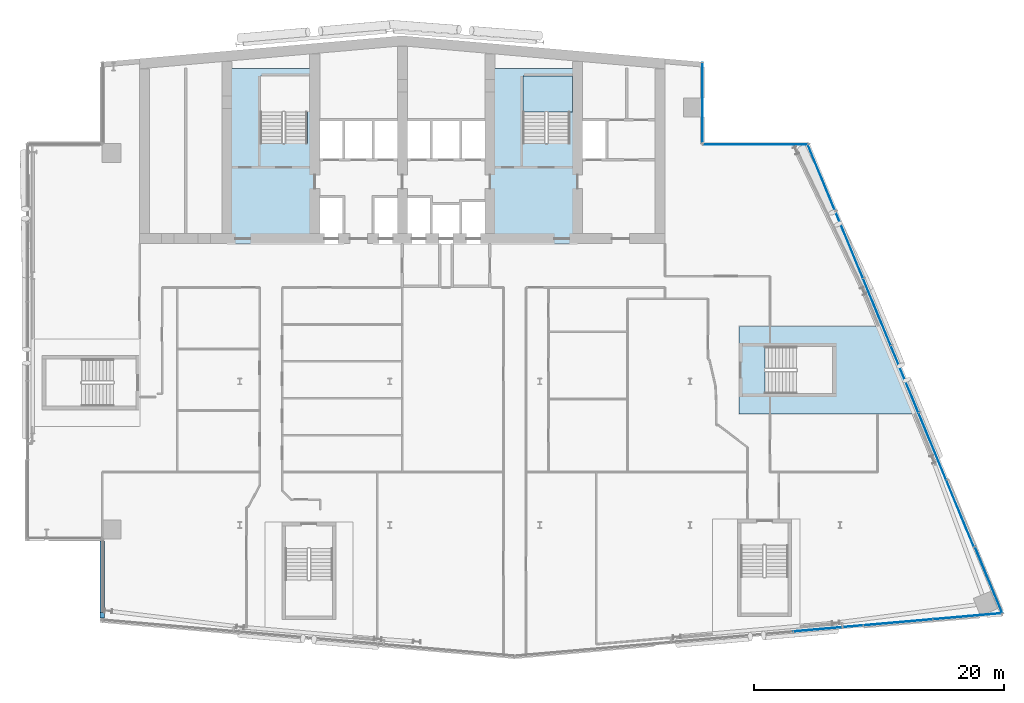
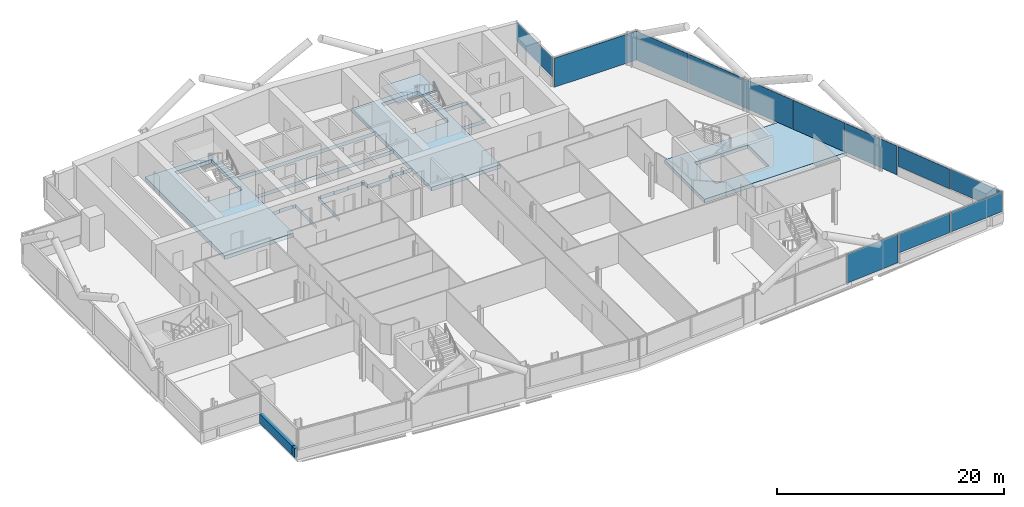
# One storey, part 14 of 26: 12 plates, 3 slabs, 2 walls, 5 elements without a shape of their own.
"""IFC4 building model written with IfcOpenShell, lengths in metres."""

from ifc_helpers import new_model, si_unit, direction, frame, frame_2d, origin, origin_2d, place, context, subcontext, project, spatial, polyline, rectangle, outline, extrude, material, layer, layer_set, type_object, element, aggregate, save


model = new_model("IFC4")

# Units and contexts
model_context = context("Model", 3, precision=1e-05, world=origin(), true_north=direction((0.0, 1.0)))
body_context = subcontext(model_context, "Body", "Model", "MODEL_VIEW")
ifc_project = project(units=[si_unit("LENGTHUNIT", "METRE"), si_unit("AREAUNIT", "SQUARE_METRE"), si_unit("VOLUMEUNIT", "CUBIC_METRE"), si_unit("PLANEANGLEUNIT", "RADIAN"), si_unit("MASSUNIT", "GRAM", prefix="KILO")], contexts=[model_context])

# Site, building, storey
site_placement = place(None, origin())
site = spatial("IfcSite", under=ifc_project, at=site_placement, CompositionType="ELEMENT")
building_placement = place(site_placement, origin())
building = spatial("IfcBuilding", under=site, at=building_placement, Name="Wharfspan Tower", CompositionType="ELEMENT")
storey_placement = place(building_placement, frame((0.0, 0.0, 169.899902)))
storey = spatial("IfcBuildingStorey", under=building, at=storey_placement, Name="L41", CompositionType="ELEMENT", Elevation=169.899902)

# Curtain wall, plates
ifc_material_1 = material(Name="Aluminium 6063-T6", Category="aluminium")
curtain_wall_type_1 = type_object("IfcCurtainWallType", Name="CURTAIN WALL FACETED FRONT", PredefinedType="NOTDEFINED", material=ifc_material_1)
curtain_wall_1_placement = place(storey_placement, origin())
curtain_wall_1 = element("IfcCurtainWall", 1, at=curtain_wall_1_placement, inside=storey, type_object=curtain_wall_type_1, Name="Curtain wall S2", PredefinedType="NOTDEFINED")
ifc_material_2 = material(Name="Glass clear low-iron double glazing", Category="glass")
ifc_layer_1 = layer(ifc_material_2, 0.040039)
ifc_layer_set_1 = layer_set([ifc_layer_1], Name="Glass clear low-iron double glazing")
plate_type_1 = type_object("IfcPlateType", Name="GLASS PANEL FACETED FRONT 40", PredefinedType="CURTAIN_PANEL", material=ifc_layer_set_1)
plate_1_placement = place(storey_placement, frame((76.637695, 3.728516, 1.0), z_axis=(0.0, 0.0, 1.0), x_axis=(0.996198, 0.087156, 0.0)))
plate_1 = element("IfcPlate", 2, at=plate_1_placement, type_object=plate_type_1, Name="Curtain wall S2 panel 6", PredefinedType="CURTAIN_PANEL", context=body_context, shape_type="SweptSolid", body=[
    extrude(rectangle(XDim=5.532715, YDim=0.040039, at=origin_2d()), origin(), (0.0, 0.0, 1.0), 2.120117),
])
plate_2_placement = place(storey_placement, frame((82.194092, 4.214844, 1.0), z_axis=(0.0, 0.0, 1.0), x_axis=(0.996198, 0.087156, 0.0)))
plate_2 = element("IfcPlate", 3, at=plate_2_placement, type_object=plate_type_1, Name="Curtain wall S2 panel 7", PredefinedType="CURTAIN_PANEL", context=body_context, shape_type="SweptSolid", body=[
    extrude(rectangle(XDim=5.502686, YDim=0.040039, at=origin_2d()), origin(), (0.0, 0.0, 1.0), 2.120117),
])

curtain_wall_type_2 = type_object("IfcCurtainWallType", Name="CURTAIN WALL PROW AND END", PredefinedType="NOTDEFINED", material=ifc_material_1)
curtain_wall_2_placement = place(storey_placement, origin())
curtain_wall_2 = element("IfcCurtainWall", 4, at=curtain_wall_2_placement, inside=storey, type_object=curtain_wall_type_2, Name="Curtain wall E", PredefinedType="NOTDEFINED")
ifc_layer_2 = layer(ifc_material_2, 0.040039)
ifc_layer_set_2 = layer_set([ifc_layer_2], Name="Glass clear low-iron double glazing")
plate_type_2 = type_object("IfcPlateType", Name="GLASS PANEL PROW AND END 40", PredefinedType="CURTAIN_PANEL", material=ifc_layer_set_2)
plate_3_placement = place(storey_placement, frame((83.885498, 7.099609, 1.0), z_axis=(0.0, 0.0, 1.0), x_axis=(-0.381602, 0.924325, 0.0)))
plate_3 = element("IfcPlate", 5, at=plate_3_placement, type_object=plate_type_2, Name="Curtain wall E panel 1", PredefinedType="CURTAIN_PANEL", context=body_context, shape_type="SweptSolid", body=[
    extrude(rectangle(XDim=5.721191, YDim=0.040039, at=origin_2d()), origin(), (0.0, 0.0, 1.0), 2.120117),
])
plate_4_placement = place(storey_placement, frame((81.599609, 12.426514, 1.0), z_axis=(0.0, 0.0, 1.0), x_axis=(-0.381602, 0.924325, 0.0)))
plate_4 = element("IfcPlate", 6, at=plate_4_placement, type_object=plate_type_2, Name="Curtain wall E panel 2", PredefinedType="CURTAIN_PANEL", context=body_context, shape_type="SweptSolid", body=[
    extrude(rectangle(XDim=5.751221, YDim=0.040039, at=origin_2d()), origin(), (0.0, 0.0, 1.0), 2.120117),
])

# Curtain wall, plate
curtain_wall_3_placement = place(storey_placement, origin())
curtain_wall_3 = element("IfcCurtainWall", 7, at=curtain_wall_3_placement, inside=storey, type_object=curtain_wall_type_2, Name="Curtain wall NRE-V", PredefinedType="NOTDEFINED")
plate_5_placement = place(storey_placement, frame((61.0, 45.262451, 1.0), z_axis=(0.0, 0.0, 1.0), x_axis=(0.0, 1.0, 0.0)))
plate_5 = element("IfcPlate", 8, at=plate_5_placement, type_object=plate_type_2, Name="Curtain wall NRE-V panel 1", PredefinedType="CURTAIN_PANEL", context=body_context, shape_type="SweptSolid", body=[
    extrude(rectangle(XDim=6.405029, YDim=0.040039, at=origin_2d()), origin(), (0.0, 0.0, 1.0), 2.120117),
])
aggregate(curtain_wall_3, [plate_5])

# Plate
ifc_material_3 = material(Name="Aluminium composite opaque insulated panel", Category="aluminium")
ifc_layer_3 = layer(ifc_material_3, 0.040039)
ifc_layer_set_3 = layer_set([ifc_layer_3], Name="Aluminium composite opaque insulated panel")
plate_type_3 = type_object("IfcPlateType", Name="INFILL PANEL FACETED FRONT OPAQUE 40", PredefinedType="SHEET", material=ifc_layer_set_3)
plate_6_placement = place(storey_placement, frame((71.066162, 3.241211, 0.0), z_axis=(0.0, 0.0, 1.0), x_axis=(0.996198, 0.087156, 0.0)))
plate_6 = element("IfcPlate", 9, at=plate_6_placement, type_object=plate_type_3, Name="Curtain wall S2 panel 5", PredefinedType="SHEET", context=body_context, shape_type="SweptSolid", body=[
    extrude(rectangle(XDim=5.532715, YDim=0.040039, at=origin_2d()), origin(), (0.0, 0.0, 1.0), 3.120117),
])

aggregate(curtain_wall_1, [plate_6, plate_1, plate_2])

ifc_layer_4 = layer(ifc_material_3, 0.040039)
ifc_layer_set_4 = layer_set([ifc_layer_4], Name="Aluminium composite opaque insulated panel")
plate_type_4 = type_object("IfcPlateType", Name="INFILL PANEL PROW AND END OPAQUE 40", PredefinedType="SHEET", material=ifc_layer_set_4)
plate_7_placement = place(storey_placement, frame((79.38208, 17.798096, 0.0), z_axis=(0.0, 0.0, 1.0), x_axis=(-0.381602, 0.924325, 0.0)))
plate_7 = element("IfcPlate", 10, at=plate_7_placement, type_object=plate_type_4, Name="Curtain wall E panel 3", PredefinedType="SHEET", context=body_context, shape_type="SweptSolid", body=[
    extrude(rectangle(XDim=5.751221, YDim=0.040039, at=origin_2d()), origin(), (0.0, 0.0, 1.0), 3.120117),
])

plate_8_placement = place(storey_placement, frame((77.164551, 23.169434, 0.0), z_axis=(0.0, 0.0, 1.0), x_axis=(-0.381602, 0.924325, 0.0)))
plate_8 = element("IfcPlate", 11, at=plate_8_placement, type_object=plate_type_4, Name="Curtain wall E panel 4", PredefinedType="SHEET", context=body_context, shape_type="SweptSolid", body=[
    extrude(rectangle(XDim=5.751221, YDim=0.040039, at=origin_2d()), origin(), (0.0, 0.0, 1.0), 3.120117),
])

plate_9_placement = place(storey_placement, frame((74.947021, 28.541016, 0.0), z_axis=(0.0, 0.0, 1.0), x_axis=(-0.381602, 0.924325, 0.0)))
plate_9 = element("IfcPlate", 12, at=plate_9_placement, type_object=plate_type_4, Name="Curtain wall E panel 5", PredefinedType="SHEET", context=body_context, shape_type="SweptSolid", body=[
    extrude(rectangle(XDim=5.751221, YDim=0.040039, at=origin_2d()), origin(), (0.0, 0.0, 1.0), 3.120117),
])

plate_10_placement = place(storey_placement, frame((72.729492, 33.912354, 0.0), z_axis=(0.0, 0.0, 1.0), x_axis=(-0.381602, 0.924325, 0.0)))
plate_10 = element("IfcPlate", 13, at=plate_10_placement, type_object=plate_type_4, Name="Curtain wall E panel 6", PredefinedType="SHEET", context=body_context, shape_type="SweptSolid", body=[
    extrude(rectangle(XDim=5.751221, YDim=0.040039, at=origin_2d()), origin(), (0.0, 0.0, 1.0), 3.120117),
])

plate_11_placement = place(storey_placement, frame((70.517578, 39.269775, 0.0), z_axis=(0.0, 0.0, 1.0), x_axis=(-0.381602, 0.924325, 0.0)))
plate_11 = element("IfcPlate", 14, at=plate_11_placement, type_object=plate_type_4, Name="Curtain wall E panel 7", PredefinedType="SHEET", context=body_context, shape_type="SweptSolid", body=[
    extrude(rectangle(XDim=5.721191, YDim=0.040039, at=origin_2d()), origin(), (0.0, 0.0, 1.0), 3.120117),
])

aggregate(curtain_wall_2, [plate_3, plate_4, plate_7, plate_8, plate_9, plate_10, plate_11])

# Curtain wall, plate
curtain_wall_4_placement = place(storey_placement, origin())
curtain_wall_4 = element("IfcCurtainWall", 15, at=curtain_wall_4_placement, inside=storey, type_object=curtain_wall_type_2, Name="Curtain wall NRE-H", PredefinedType="NOTDEFINED")
plate_12_placement = place(storey_placement, frame((65.238525, 41.919922, 0.0), z_axis=(0.0, 0.0, 1.0), x_axis=(-1.0, 0.0, 0.0)))
plate_12 = element("IfcPlate", 16, at=plate_12_placement, type_object=plate_type_4, Name="Curtain wall NRE-H panel 1", PredefinedType="SHEET", context=body_context, shape_type="SweptSolid", body=[
    extrude(rectangle(XDim=8.357178, YDim=0.040039, at=origin_2d()), origin(), (0.0, 0.0, 1.0), 3.120117),
])
aggregate(curtain_wall_4, [plate_12])

# Slabs
ifc_material_4 = material(Name="Concrete C40/50", Category="concrete")
ifc_layer_5 = layer(ifc_material_4, 0.399902)
ifc_layer_set_5 = layer_set([ifc_layer_5], Name="Concrete C40/50")
slab_type_1 = type_object("IfcSlabType", Name="Post-tensioned flat slab 400", PredefinedType="FLOOR", material=ifc_layer_set_5)
slab_1_placement = place(storey_placement, frame((0.0, 0.0, -0.400146)))
element("IfcSlab", 17, at=slab_1_placement, inside=storey, type_object=slab_type_1, Name="Core floor slab L41 part 3", PredefinedType="FLOOR", context=body_context, shape_type="SweptSolid", body=[
    extrude(outline(polyline([(23.0, 34.0), (29.998047, 34.0), (29.998047, 37.75), (29.998047, 37.750244), (29.998047, 37.750488), (29.998047, 37.750488), (29.998291, 37.750732), (29.998291, 37.750977), (29.998291, 37.751221), (29.998535, 37.751221), (29.998535, 37.751465), (29.998779, 37.751465), (29.998779, 37.751709), (29.999023, 37.751709), (29.999268, 37.751709), (29.999512, 37.751953), (29.999512, 37.751953), (29.999756, 37.751953), (30.0, 37.751953), (30.7146, 37.751953), (30.7146, 37.800049), (30.7146, 37.800293), (30.7146, 37.800293), (30.714844, 37.800537), (30.714844, 37.800781), (30.714844, 37.800781), (30.715088, 37.801025), (30.715088, 37.80127), (30.715332, 37.801514), (30.715332, 37.801514), (30.715576, 37.801758), (30.71582, 37.801758), (30.71582, 37.801758), (30.716064, 37.802002), (30.716309, 37.802002), (30.716553, 37.802002), (30.716797, 37.802002), (32.116699, 37.802002), (32.116943, 37.802002), (32.117188, 37.802002), (32.117188, 37.802002), (32.117432, 37.801758), (32.117676, 37.801758), (32.11792, 37.801758), (32.11792, 37.801514), (32.118164, 37.801514), (32.118164, 37.80127), (32.118408, 37.801025), (32.118408, 37.800781), (32.118408, 37.800781), (32.118652, 37.800537), (32.118652, 37.800293), (32.118652, 37.800293), (32.118652, 37.800049), (32.118652, 37.751953), (32.333252, 37.751953), (32.333496, 37.751953), (32.33374, 37.751953), (32.333984, 37.751953), (32.333984, 37.751709), (32.334229, 37.751709), (32.334473, 37.751709), (32.334717, 37.751465), (32.334717, 37.751465), (32.334961, 37.751221), (32.334961, 37.751221), (32.335205, 37.750977), (32.335205, 37.750732), (32.335205, 37.750488), (32.335205, 37.750488), (32.335205, 37.750244), (32.335205, 37.75), (32.335205, 34.0), (32.341309, 34.0), (32.341309, 37.758057), (32.126709, 37.758057), (32.126465, 37.758057), (32.126221, 37.758057), (32.126221, 37.758057), (32.125977, 37.758301), (32.125732, 37.758301), (32.125488, 37.758301), (32.125488, 37.758545), (32.125244, 37.758545), (32.125244, 37.758789), (32.125, 37.758789), (32.125, 37.759033), (32.125, 37.759277), (32.124756, 37.759521), (32.124756, 37.759521), (32.124756, 37.759766), (32.124756, 37.76001), (32.124756, 37.808105), (30.70874, 37.808105), (30.70874, 37.76001), (30.70874, 37.759766), (30.70874, 37.759521), (30.708496, 37.759521), (30.708496, 37.759277), (30.708496, 37.759033), (30.708496, 37.758789), (30.708252, 37.758789), (30.708008, 37.758545), (30.708008, 37.758545), (30.707764, 37.758301), (30.70752, 37.758301), (30.70752, 37.758301), (30.707275, 37.758057), (30.707031, 37.758057), (30.706787, 37.758057), (30.706787, 37.758057), (30.01001, 37.758057), (30.009766, 37.758057), (30.009521, 37.758057), (30.009521, 37.758057), (30.009277, 37.758301), (30.009033, 37.758301), (30.008789, 37.758301), (30.008789, 37.758545), (30.008545, 37.758545), (30.008545, 37.758789), (30.008301, 37.758789), (30.008301, 37.759033), (30.008301, 37.759277), (30.008057, 37.759521), (30.008057, 37.759521), (30.008057, 37.759766), (30.008057, 37.76001), (30.008057, 40.689941), (30.008057, 40.690186), (30.008057, 40.69043), (30.008057, 40.690674), (30.008301, 40.690918), (30.008301, 40.690918), (30.008301, 40.691162), (30.008545, 40.691406), (30.008545, 40.691406), (30.008789, 40.691406), (30.008789, 40.69165), (30.009033, 40.691895), (30.009277, 40.691895), (30.009521, 40.691895), (30.009521, 40.691895), (30.009766, 40.691895), (30.01001, 40.691895), (43.98999, 40.691895), (43.990234, 40.691895), (43.990479, 40.691895), (43.990479, 40.691895), (43.990723, 40.691895), (43.990967, 40.691895), (43.991211, 40.69165), (43.991211, 40.691406), (43.991455, 40.691406), (43.991455, 40.691406), (43.991699, 40.691162), (43.991699, 40.690918), (43.991699, 40.690918), (43.991943, 40.690674), (43.991943, 40.69043), (43.991943, 40.690186), (43.991943, 40.689941), (43.991943, 37.459961), (43.991943, 37.459717), (43.991943, 37.459717), (43.991943, 37.459473), (43.991699, 37.459229), (43.991699, 37.458984), (43.991699, 37.458984), (43.991455, 37.45874), (43.991455, 37.458496), (43.991211, 37.458496), (43.991211, 37.458252), (43.990967, 37.458252), (43.990723, 37.458252), (43.990479, 37.458008), (43.990479, 37.458008), (43.990234, 37.458008), (43.98999, 37.458008), (43.143311, 37.458008), (43.143066, 37.458008), (43.142822, 37.458008), (43.142578, 37.458008), (43.142578, 37.458252), (43.142334, 37.458252), (43.14209, 37.458252), (43.14209, 37.458496), (43.141846, 37.458496), (43.141846, 37.45874), (43.141602, 37.458984), (43.141602, 37.458984), (43.141602, 37.459229), (43.141357, 37.459473), (43.141357, 37.459717), (43.141357, 37.459717), (43.141357, 37.459961), (43.141357, 37.508057), (42.025391, 37.508057), (42.025391, 37.459961), (42.025391, 37.459717), (42.025391, 37.459717), (42.025146, 37.459473), (42.025146, 37.459229), (42.025146, 37.458984), (42.024902, 37.458984), (42.024902, 37.45874), (42.024658, 37.458496), (42.024658, 37.458496), (42.024414, 37.458252), (42.02417, 37.458252), (42.02417, 37.458252), (42.023926, 37.458008), (42.023682, 37.458008), (42.023438, 37.458008), (42.023193, 37.458008), (41.658691, 37.458008), (41.658691, 37.209961), (41.658691, 37.209717), (41.658691, 37.209717), (41.658691, 37.209473), (41.658447, 37.209229), (41.658447, 37.208984), (41.658447, 37.208984), (41.658203, 37.20874), (41.658203, 37.208496), (41.657959, 37.208496), (41.657715, 37.208252), (41.657715, 37.208252), (41.657471, 37.208252), (41.657227, 37.208008), (41.656982, 37.208008), (41.656982, 37.208008), (41.656738, 37.208008), (39.343262, 37.208008), (39.343018, 37.208008), (39.343018, 37.208008), (39.342773, 37.208008), (39.342529, 37.208252), (39.342285, 37.208252), (39.342285, 37.208252), (39.342041, 37.208496), (39.341797, 37.208496), (39.341797, 37.20874), (39.341553, 37.208984), (39.341553, 37.208984), (39.341553, 37.209229), (39.341309, 37.209473), (39.341309, 37.209717), (39.341309, 37.209717), (39.341309, 37.209961), (39.341309, 37.758057), (39.166748, 37.758057), (39.166504, 37.758057), (39.16626, 37.758057), (39.166016, 37.758057), (39.166016, 37.758301), (39.165771, 37.758301), (39.165527, 37.758301), (39.165283, 37.758545), (39.165283, 37.758545), (39.165283, 37.758789), (39.165039, 37.758789), (39.164795, 37.759033), (39.164795, 37.759277), (39.164795, 37.759521), (39.164795, 37.759521), (39.164795, 37.759766), (39.164795, 37.76001), (39.164795, 37.808105), (37.668701, 37.808105), (37.668701, 37.76001), (37.668701, 37.759766), (37.668701, 37.759521), (37.668701, 37.759521), (37.668457, 37.759277), (37.668457, 37.759033), (37.668457, 37.758789), (37.668213, 37.758789), (37.668213, 37.758545), (37.667969, 37.758545), (37.667725, 37.758301), (37.66748, 37.758301), (37.66748, 37.758301), (37.667236, 37.758057), (37.666992, 37.758057), (37.666992, 37.758057), (37.666748, 37.758057), (36.293213, 37.758057), (36.293213, 37.758057), (36.292969, 37.758057), (36.292725, 37.758057), (36.29248, 37.758301), (36.29248, 37.758301), (36.292236, 37.758301), (36.291992, 37.758545), (36.291992, 37.758545), (36.291748, 37.758789), (36.291504, 37.758789), (36.291504, 37.759033), (36.291504, 37.759277), (36.291504, 37.759521), (36.29126, 37.759521), (36.29126, 37.759766), (36.29126, 37.76001), (36.29126, 37.808105), (34.875244, 37.808105), (34.875244, 37.76001), (34.875244, 37.759766), (34.875244, 37.759521), (34.875244, 37.759521), (34.875, 37.759277), (34.875, 37.759033), (34.875, 37.758789), (34.874756, 37.758789), (34.874756, 37.758545), (34.874512, 37.758545), (34.874512, 37.758301), (34.874268, 37.758301), (34.874023, 37.758301), (34.873779, 37.758057), (34.873779, 37.758057), (34.873535, 37.758057), (34.873291, 37.758057), (34.658691, 37.758057), (34.658691, 34.0), (34.664795, 34.0), (34.664795, 37.75), (34.664795, 37.750244), (34.664795, 37.750488), (34.664795, 37.750488), (34.664795, 37.750732), (34.664795, 37.750977), (34.665039, 37.751221), (34.665039, 37.751221), (34.665283, 37.751465), (34.665283, 37.751465), (34.665527, 37.751709), (34.665771, 37.751709), (34.666016, 37.751709), (34.666016, 37.751953), (34.66626, 37.751953), (34.666504, 37.751953), (34.666748, 37.751953), (34.881348, 37.751953), (34.881348, 37.800049), (34.881348, 37.800293), (34.881348, 37.800293), (34.881348, 37.800537), (34.881592, 37.800781), (34.881592, 37.800781), (34.881592, 37.801025), (34.881836, 37.80127), (34.881836, 37.801514), (34.88208, 37.801514), (34.88208, 37.801758), (34.882324, 37.801758), (34.882568, 37.801758), (34.882812, 37.802002), (34.882812, 37.802002), (34.883057, 37.802002), (34.883301, 37.802002), (36.283203, 37.802002), (36.283447, 37.802002), (36.283691, 37.802002), (36.283936, 37.802002), (36.28418, 37.801758), (36.28418, 37.801758), (36.284424, 37.801758), (36.284668, 37.801514), (36.284668, 37.801514), (36.284912, 37.80127), (36.284912, 37.801025), (36.285156, 37.800781), (36.285156, 37.800781), (36.285156, 37.800537), (36.2854, 37.800293), (36.2854, 37.800293), (36.2854, 37.800049), (36.2854, 37.751953), (37.674805, 37.751953), (37.674805, 37.800049), (37.674805, 37.800293), (37.674805, 37.800293), (37.674805, 37.800537), (37.674805, 37.800781), (37.674805, 37.800781), (37.675049, 37.801025), (37.675049, 37.80127), (37.675293, 37.801514), (37.675293, 37.801514), (37.675537, 37.801758), (37.675781, 37.801758), (37.675781, 37.801758), (37.676025, 37.802002), (37.67627, 37.802002), (37.676514, 37.802002), (37.676758, 37.802002), (39.156738, 37.802002), (39.156982, 37.802002), (39.156982, 37.802002), (39.157227, 37.802002), (39.157471, 37.801758), (39.157715, 37.801758), (39.157715, 37.801758), (39.157959, 37.801514), (39.158203, 37.801514), (39.158203, 37.80127), (39.158203, 37.801025), (39.158447, 37.800781), (39.158447, 37.800781), (39.158691, 37.800537), (39.158691, 37.800293), (39.158691, 37.800293), (39.158691, 37.800049), (39.158691, 37.751953), (39.333252, 37.751953), (39.333496, 37.751953), (39.33374, 37.751953), (39.333984, 37.751953), (39.333984, 37.751709), (39.334229, 37.751709), (39.334473, 37.751709), (39.334717, 37.751465), (39.334717, 37.751465), (39.334961, 37.751221), (39.334961, 37.751221), (39.335205, 37.750977), (39.335205, 37.750732), (39.335205, 37.750488), (39.335205, 37.750488), (39.335205, 37.750244), (39.335205, 37.75), (39.335205, 37.201904), (41.664795, 37.201904), (41.664795, 37.449951), (41.664795, 37.450195), (41.664795, 37.450439), (41.664795, 37.450684), (41.664795, 37.450684), (41.664795, 37.450928), (41.665039, 37.451172), (41.665039, 37.451416), (41.665283, 37.451416), (41.665283, 37.451416), (41.665527, 37.45166), (41.665771, 37.451904), (41.666016, 37.451904), (41.666016, 37.451904), (41.66626, 37.451904), (41.666504, 37.451904), (41.666748, 37.451904), (42.03125, 37.451904), (42.03125, 37.5), (42.03125, 37.500244), (42.031494, 37.500488), (42.031494, 37.500488), (42.031494, 37.500732), (42.031494, 37.500977), (42.031738, 37.501221), (42.031738, 37.501221), (42.031982, 37.501465), (42.031982, 37.501465), (42.032227, 37.501709), (42.032471, 37.501709), (42.032715, 37.501709), (42.032715, 37.501953), (42.032959, 37.501953), (42.033203, 37.501953), (42.033203, 37.501953), (43.133301, 37.501953), (43.133545, 37.501953), (43.133789, 37.501953), (43.133789, 37.501953), (43.134033, 37.501709), (43.134277, 37.501709), (43.134521, 37.501709), (43.134521, 37.501465), (43.134766, 37.501465), (43.13501, 37.501221), (43.13501, 37.501221), (43.13501, 37.500977), (43.135254, 37.500732), (43.135254, 37.500488), (43.135254, 37.500488), (43.135254, 37.500244), (43.135254, 37.5), (43.135254, 37.451904), (44.0, 37.451904), (44.000244, 37.451904), (44.000488, 37.451904), (44.000488, 37.451904), (44.000732, 37.451904), (44.000977, 37.451904), (44.001221, 37.45166), (44.001221, 37.451416), (44.001465, 37.451416), (44.001465, 37.451416), (44.001709, 37.451172), (44.001709, 37.450928), (44.001709, 37.450684), (44.001953, 37.450684), (44.001953, 37.450439), (44.001953, 37.450195), (44.001953, 37.449951), (44.001953, 34.0), (51.0, 34.0), (51.008057, 34.0), (51.008057, 40.689941), (51.008057, 40.690186), (51.008057, 40.69043), (51.008057, 40.690674), (51.008301, 40.690918), (51.008301, 40.690918), (51.008301, 40.691162), (51.008545, 40.691406), (51.008545, 40.691406), (51.008789, 40.691406), (51.008789, 40.69165), (51.009033, 40.691895), (51.009277, 40.691895), (51.009521, 40.691895), (51.009521, 40.691895), (51.009766, 40.691895), (51.01001, 40.691895), (53.341309, 40.691895), (53.341309, 43.907959), (51.01001, 43.907959), (51.009766, 43.907959), (51.009521, 43.907959), (51.009521, 43.908203), (51.009277, 43.908203), (51.009033, 43.908203), (51.008789, 43.908203), (51.008789, 43.908447), (51.008545, 43.908691), (51.008545, 43.908691), (51.008301, 43.908936), (51.008301, 43.90918), (51.008301, 43.90918), (51.008057, 43.909424), (51.008057, 43.909668), (51.008057, 43.909912), (51.008057, 43.909912), (51.008057, 48.008057), (43.991943, 48.008057), (43.991943, 43.909912), (43.991943, 43.909912), (43.991943, 43.909668), (43.991943, 43.909424), (43.991699, 43.90918), (43.991699, 43.90918), (43.991699, 43.908936), (43.991455, 43.908691), (43.991455, 43.908691), (43.991211, 43.908447), (43.991211, 43.908203), (43.990967, 43.908203), (43.990723, 43.908203), (43.990479, 43.908203), (43.990479, 43.907959), (43.990234, 43.907959), (43.98999, 43.907959), (30.01001, 43.907959), (30.009766, 43.907959), (30.009521, 43.907959), (30.009521, 43.908203), (30.009277, 43.908203), (30.009033, 43.908203), (30.008789, 43.908203), (30.008789, 43.908447), (30.008545, 43.908691), (30.008545, 43.908691), (30.008301, 43.908936), (30.008301, 43.90918), (30.008301, 43.90918), (30.008057, 43.909424), (30.008057, 43.909668), (30.008057, 43.909912), (30.008057, 43.909912), (30.008057, 48.008057), (22.991943, 48.008057), (22.991943, 34.0), (23.0, 34.0)]), holes=[polyline([(53.333252, 43.9021), (53.333496, 43.9021), (53.33374, 43.9021), (53.333984, 43.901855), (53.333984, 43.901855), (53.334229, 43.901855), (53.334473, 43.901611), (53.334717, 43.901611), (53.334717, 43.901367), (53.334961, 43.901367), (53.334961, 43.901123), (53.335205, 43.900879), (53.335205, 43.900879), (53.335205, 43.900635), (53.335205, 43.900391), (53.335205, 43.900146), (53.335205, 43.899902), (53.335205, 40.699951), (53.335205, 40.699707), (53.335205, 40.699707), (53.335205, 40.699463), (53.335205, 40.699219), (53.335205, 40.699219), (53.334961, 40.698975), (53.334961, 40.69873), (53.334717, 40.698486), (53.334717, 40.698486), (53.334473, 40.698242), (53.334229, 40.698242), (53.333984, 40.698242), (53.333984, 40.697998), (53.33374, 40.697998), (53.333496, 40.697998), (53.333252, 40.697998), (51.0, 40.697998), (50.999756, 40.697998), (50.999512, 40.697998), (50.999512, 40.697998), (50.999268, 40.698242), (50.999023, 40.698242), (50.998779, 40.698242), (50.998779, 40.698486), (50.998535, 40.698486), (50.998535, 40.69873), (50.998291, 40.698975), (50.998291, 40.699219), (50.998291, 40.699219), (50.998047, 40.699463), (50.998047, 40.699707), (50.998047, 40.699707), (50.998047, 40.699951), (50.998047, 43.899902), (50.998047, 43.900146), (50.998047, 43.900391), (50.998047, 43.900635), (50.998291, 43.900879), (50.998291, 43.900879), (50.998291, 43.901123), (50.998535, 43.901367), (50.998535, 43.901367), (50.998779, 43.901611), (50.998779, 43.901611), (50.999023, 43.901855), (50.999268, 43.901855), (50.999512, 43.901855), (50.999512, 43.9021), (50.999756, 43.9021), (51.0, 43.9021), (53.333252, 43.9021)]), polyline([(46.649902, 41.998047), (46.649902, 41.998047), (46.649658, 41.998047), (46.649414, 41.998047), (46.64917, 41.998291), (46.64917, 41.998291), (46.648926, 41.998291), (46.648682, 41.998535), (46.648682, 41.998535), (46.648438, 41.998779), (46.648193, 41.998779), (46.648193, 41.999023), (46.648193, 41.999268), (46.648193, 41.999512), (46.647949, 41.999512), (46.647949, 41.999756), (46.647949, 42.0), (46.647949, 47.399902), (46.647949, 47.400146), (46.647949, 47.400391), (46.648193, 47.400635), (46.648193, 47.400879), (46.648193, 47.400879), (46.648193, 47.401123), (46.648438, 47.401367), (46.648682, 47.401367), (46.648682, 47.401611), (46.648926, 47.401611), (46.64917, 47.401855), (46.64917, 47.401855), (46.649414, 47.401855), (46.649658, 47.4021), (46.649902, 47.4021), (46.649902, 47.4021), (50.399902, 47.4021), (50.400146, 47.4021), (50.400391, 47.4021), (50.400635, 47.401855), (50.400879, 47.401855), (50.400879, 47.401855), (50.401123, 47.401611), (50.401367, 47.401611), (50.401367, 47.401367), (50.401611, 47.401367), (50.401611, 47.401123), (50.401855, 47.400879), (50.401855, 47.400879), (50.401855, 47.400635), (50.4021, 47.400391), (50.4021, 47.400146), (50.4021, 47.399902), (50.4021, 42.0), (50.4021, 41.999756), (50.4021, 41.999512), (50.401855, 41.999512), (50.401855, 41.999268), (50.401855, 41.999023), (50.401611, 41.998779), (50.401611, 41.998779), (50.401367, 41.998535), (50.401367, 41.998535), (50.401123, 41.998291), (50.400879, 41.998291), (50.400879, 41.998291), (50.400635, 41.998047), (50.400391, 41.998047), (50.400146, 41.998047), (50.399902, 41.998047), (46.649902, 41.998047)]), polyline([(44.0, 43.9021), (44.000244, 43.9021), (44.000488, 43.9021), (44.000488, 43.901855), (44.000732, 43.901855), (44.000977, 43.901855), (44.001221, 43.901611), (44.001221, 43.901611), (44.001465, 43.901367), (44.001465, 43.901367), (44.001709, 43.901123), (44.001709, 43.900879), (44.001709, 43.900879), (44.001953, 43.900635), (44.001953, 43.900391), (44.001953, 43.900146), (44.001953, 43.899902), (44.001953, 40.699951), (44.001953, 40.699707), (44.001953, 40.699707), (44.001953, 40.699463), (44.001709, 40.699219), (44.001709, 40.699219), (44.001709, 40.698975), (44.001465, 40.69873), (44.001465, 40.698486), (44.001221, 40.698486), (44.001221, 40.698242), (44.000977, 40.698242), (44.000732, 40.698242), (44.000488, 40.697998), (44.000488, 40.697998), (44.000244, 40.697998), (44.0, 40.697998), (30.0, 40.697998), (29.999756, 40.697998), (29.999512, 40.697998), (29.999512, 40.697998), (29.999268, 40.698242), (29.999023, 40.698242), (29.998779, 40.698242), (29.998779, 40.698486), (29.998535, 40.698486), (29.998535, 40.69873), (29.998291, 40.698975), (29.998291, 40.699219), (29.998291, 40.699219), (29.998047, 40.699463), (29.998047, 40.699707), (29.998047, 40.699707), (29.998047, 40.699951), (29.998047, 43.899902), (29.998047, 43.900146), (29.998047, 43.900391), (29.998047, 43.900635), (29.998291, 43.900879), (29.998291, 43.900879), (29.998291, 43.901123), (29.998535, 43.901367), (29.998535, 43.901367), (29.998779, 43.901611), (29.998779, 43.901611), (29.999023, 43.901855), (29.999268, 43.901855), (29.999512, 43.901855), (29.999512, 43.9021), (29.999756, 43.9021), (30.0, 43.9021), (44.0, 43.9021)]), polyline([(29.4021, 42.0), (29.4021, 41.999756), (29.4021, 41.999512), (29.401855, 41.999512), (29.401855, 41.999268), (29.401855, 41.999023), (29.401611, 41.998779), (29.401611, 41.998779), (29.401367, 41.998535), (29.401367, 41.998535), (29.401123, 41.998291), (29.400879, 41.998291), (29.400879, 41.998291), (29.400635, 41.998047), (29.400391, 41.998047), (29.400146, 41.998047), (29.399902, 41.998047), (25.649902, 41.998047), (25.649902, 41.998047), (25.649658, 41.998047), (25.649414, 41.998047), (25.64917, 41.998291), (25.64917, 41.998291), (25.648926, 41.998291), (25.648682, 41.998535), (25.648682, 41.998535), (25.648438, 41.998779), (25.648193, 41.998779), (25.648193, 41.999023), (25.648193, 41.999268), (25.648193, 41.999512), (25.647949, 41.999512), (25.647949, 41.999756), (25.647949, 42.0), (25.647949, 47.399902), (25.647949, 47.400146), (25.647949, 47.400391), (25.648193, 47.400635), (25.648193, 47.400879), (25.648193, 47.400879), (25.648193, 47.401123), (25.648438, 47.401367), (25.648682, 47.401367), (25.648682, 47.401611), (25.648926, 47.401611), (25.64917, 47.401855), (25.64917, 47.401855), (25.649414, 47.401855), (25.649658, 47.4021), (25.649902, 47.4021), (25.649902, 47.4021), (29.399902, 47.4021), (29.400146, 47.4021), (29.400391, 47.4021), (29.400635, 47.401855), (29.400879, 47.401855), (29.400879, 47.401855), (29.401123, 47.401611), (29.401367, 47.401611), (29.401367, 47.401367), (29.401611, 47.401367), (29.401611, 47.401123), (29.401855, 47.400879), (29.401855, 47.400879), (29.401855, 47.400635), (29.4021, 47.400391), (29.4021, 47.400146), (29.4021, 47.399902), (29.4021, 42.0)])]), origin(), (0.0, 0.0, 1.0), 0.400146),
])
slab_2_placement = place(storey_placement, frame((0.0, 0.0, -0.400146)))
element("IfcSlab", 18, at=slab_2_placement, inside=storey, type_object=slab_type_1, Name="Core floor slab L41 part 5", PredefinedType="FLOOR", context=body_context, shape_type="SweptSolid", body=[
    extrude(outline(polyline([(78.394531, 20.399902), (75.504639, 27.399902), (63.904541, 27.399902), (63.904541, 20.399902), (78.394531, 20.399902)]), holes=[polyline([(66.004639, 22.022949), (66.004395, 22.022949), (66.00415, 22.022949), (66.003906, 22.023193), (66.003906, 22.023193), (66.003662, 22.023193), (66.003418, 22.023193), (66.003418, 22.023438), (66.003174, 22.023682), (66.00293, 22.023682), (66.00293, 22.023926), (66.002686, 22.02417), (66.002686, 22.02417), (66.002686, 22.024414), (66.002686, 22.024658), (66.002686, 22.024902), (66.002686, 22.024902), (66.002686, 25.774902), (66.002686, 25.775146), (66.002686, 25.775391), (66.002686, 25.775635), (66.002686, 25.775879), (66.002686, 25.775879), (66.00293, 25.776123), (66.00293, 25.776367), (66.003174, 25.776367), (66.003418, 25.776611), (66.003418, 25.776611), (66.003662, 25.776855), (66.003906, 25.776855), (66.003906, 25.776855), (66.00415, 25.7771), (66.004395, 25.7771), (66.004639, 25.7771), (71.404541, 25.7771), (71.404785, 25.7771), (71.405029, 25.7771), (71.405273, 25.776855), (71.405518, 25.776855), (71.405518, 25.776855), (71.405762, 25.776611), (71.406006, 25.776611), (71.406006, 25.776367), (71.406006, 25.776367), (71.40625, 25.776123), (71.406494, 25.775879), (71.406494, 25.775879), (71.406494, 25.775635), (71.406494, 25.775391), (71.406494, 25.775146), (71.406494, 25.774902), (71.406494, 22.024902), (71.406494, 22.024902), (71.406494, 22.024658), (71.406494, 22.024414), (71.406494, 22.02417), (71.406494, 22.02417), (71.40625, 22.023926), (71.406006, 22.023682), (71.406006, 22.023682), (71.406006, 22.023438), (71.405762, 22.023193), (71.405518, 22.023193), (71.405518, 22.023193), (71.405273, 22.023193), (71.405029, 22.022949), (71.404785, 22.022949), (71.404541, 22.022949), (66.004639, 22.022949)])]), origin(), (0.0, 0.0, 1.0), 0.400146),
])

# Stair, slab
stair_type = type_object("IfcStairType", Name="Half-turn stair 20 risers 180 mm", PredefinedType="HALF_TURN_STAIR", material=ifc_material_4)
stair_placement = place(storey_placement, origin())
stair = element("IfcStair", 19, at=stair_placement, inside=storey, type_object=stair_type, Name="L41 stair ST2", PredefinedType="HALF_TURN_STAIR")
ifc_layer_6 = layer(ifc_material_4, 0.199951)
ifc_layer_set_6 = layer_set([ifc_layer_6], Name="Concrete C40/50")
slab_type_2 = type_object("IfcSlabType", Name="Stair landing 200", PredefinedType="LANDING", material=ifc_layer_set_6)
slab_3_placement = place(storey_placement, frame((0.0, 0.0, 1.599854)))
slab_3 = element("IfcSlab", 20, at=slab_3_placement, type_object=slab_type_2, Name="ST2 landing 1", PredefinedType="LANDING", context=body_context, shape_type="SweptSolid", body=[
    extrude(outline(polyline([(46.649902, 44.52002), (50.600098, 44.52002), (50.600098, 47.399902), (46.649902, 47.399902), (46.649902, 44.52002)])), origin(), (0.0, 0.0, 1.0), 0.200195),
])
aggregate(stair, [slab_3])

# Walls
ifc_layer_7 = layer(ifc_material_4, 0.350098)
ifc_layer_set_7 = layer_set([ifc_layer_7], Name="Concrete C40/50")
wall_type = type_object("IfcWallType", Name="SPANDREL EXPOSED CONCRETE 350", PredefinedType="SOLIDWALL", material=ifc_layer_set_7)
wall_1_placement = place(storey_placement, frame((12.995117, 10.219971, 0.0), z_axis=(0.0, 0.0, 1.0), x_axis=(0.0, -1.0, 0.0)))
element("IfcWall", 21, at=wall_1_placement, inside=storey, type_object=wall_type, Name="Spandrel upstand L41 NFW-V", PredefinedType="SOLIDWALL", context=body_context, shape_type="SweptSolid", body=[
    extrude(rectangle(XDim=5.693359, YDim=0.350098, at=frame_2d((2.84668, 0.0))), origin(), (0.0, 0.0, 1.0), 1.0),
])
wall_2_placement = place(storey_placement, frame((12.995117, 4.512451, 0.0), z_axis=(0.0, 0.0, 1.0), x_axis=(0.0, -1.0, 0.0)))
element("IfcWall", 22, at=wall_2_placement, inside=storey, type_object=wall_type, Name="Spandrel upstand L41 NFW-V 2", PredefinedType="SOLIDWALL", context=body_context, shape_type="SweptSolid", body=[
    extrude(rectangle(XDim=0.453613, YDim=0.350098, at=frame_2d((0.226807, 0.0))), origin(), (0.0, 0.0, 1.0), 1.0),
])

save(model, "model.ifc")
